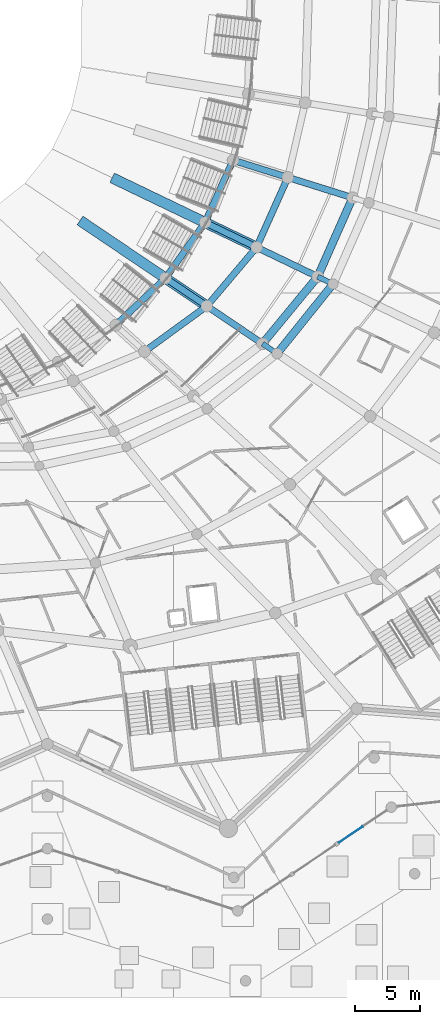
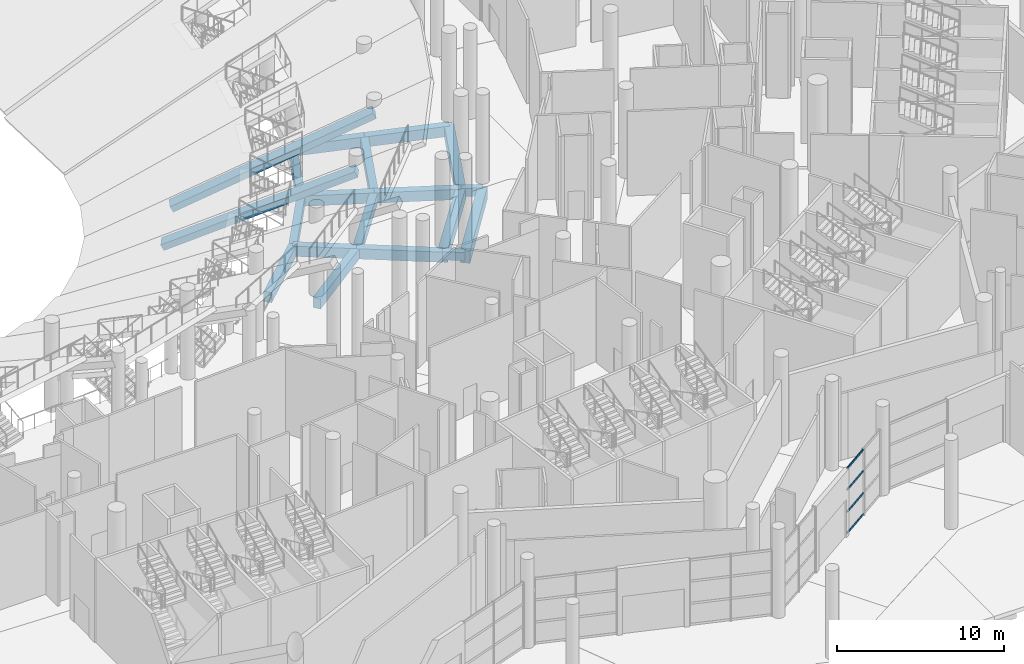
# One storey, part 33 of 255: 19 beams, 4 members, 1 element without a shape of its own.
"""IFC4 building model written with IfcOpenShell, lengths in metres."""

from ifc_helpers import new_model, si_unit, direction, frame, origin, origin_2d, place, context, subcontext, project, spatial, rectangle, extrude, material, layer, layer_set, material_profile, profile_set, type_object, element, aggregate, save


model = new_model("IFC4")

# Units and contexts
model_context = context("Model", 3, precision=1e-05, world=origin(), true_north=direction((0.0, 1.0)))
body_context = subcontext(model_context, "Body", "Model", "MODEL_VIEW")
ifc_project = project(units=[si_unit("LENGTHUNIT", "METRE"), si_unit("AREAUNIT", "SQUARE_METRE"), si_unit("VOLUMEUNIT", "CUBIC_METRE"), si_unit("PLANEANGLEUNIT", "RADIAN"), si_unit("MASSUNIT", "GRAM", prefix="KILO")], contexts=[model_context])

# Site, building, storey
site_placement = place(None, origin())
site = spatial("IfcSite", under=ifc_project, at=site_placement, CompositionType="ELEMENT")
building_placement = place(site_placement, origin())
building = spatial("IfcBuilding", under=site, at=building_placement, Name="Meseta Stadium", CompositionType="ELEMENT")
storey_placement = place(building_placement, origin())
storey = spatial("IfcBuildingStorey", under=building, at=storey_placement, Name="L00", CompositionType="ELEMENT", Elevation=0.0)

# Beams
ifc_material_1 = material(Name="Concrete C40/50", Category="concrete")
ifc_material_profile_1 = material_profile(ifc_material_1, rectangle(XDim=0.39990234375, YDim=0.60009765625, at=origin_2d()), Name="RC 400x600")
ifc_profile_set_1 = profile_set([ifc_material_profile_1], Name="Concrete C40/50")
beam_type_1 = type_object("IfcBeamType", Name="RC beam 400x600", PredefinedType="BEAM", material=ifc_profile_set_1)
beam_1_placement = place(storey_placement, frame((54.819580078125, -67.901611328125, -0.699951171875), z_axis=(0.828785870945, -0.559565885416, 0.0), x_axis=(0.559565885416, 0.828785870945, 0.0)))
element("IfcBeam", 1, at=beam_1_placement, inside=storey, type_object=beam_type_1, Name="L00 radial beam frame 53 line C to D", PredefinedType="BEAM", context=body_context, shape_type="SweptSolid", body=[
    extrude(rectangle(XDim=0.39990234375, YDim=0.60009765625, at=origin_2d()), origin(), (0.0, 0.0, 1.0), 1.35205078125),
])
beam_2_placement = place(storey_placement, frame((59.049072265625, -62.766357421875, -0.699951171875), z_axis=(0.901186215953, -0.433432121762, 0.0), x_axis=(0.433432121762, 0.901186215953, 0.0)))
element("IfcBeam", 2, at=beam_2_placement, inside=storey, type_object=beam_type_1, Name="L00 radial beam frame 54 line C to D", PredefinedType="BEAM", context=body_context, shape_type="SweptSolid", body=[
    extrude(rectangle(XDim=0.39990234375, YDim=0.60009765625, at=origin_2d()), origin(), (0.0, 0.0, 1.0), 1.3017578125),
])
ifc_material_2 = material(Name="Concrete C40/50", Category="concrete")
ifc_material_profile_2 = material_profile(ifc_material_2, rectangle(XDim=0.5, YDim=0.75, at=origin_2d()), Name="RC 500x750")
ifc_profile_set_2 = profile_set([ifc_material_profile_2], Name="Concrete C40/50")
beam_type_2 = type_object("IfcBeamType", Name="RC beam 500x750", PredefinedType="BEAM", material=ifc_profile_set_2)
beam_3_placement = place(storey_placement, frame((43.5693359375, -66.478759765625, -0.77490234375), z_axis=(0.727165536256, 0.686462149635, 0.0), x_axis=(-0.686462149635, 0.727165536256, 0.0)))
element("IfcBeam", 3, at=beam_3_placement, inside=storey, type_object=beam_type_2, Name="L00 ring beam frame 52 line B", PredefinedType="BEAM", context=body_context, shape_type="SweptSolid", body=[
    extrude(rectangle(XDim=0.5, YDim=0.75, at=origin_2d()), origin(), (0.0, 0.0, 1.0), 5.2421875),
])
beam_4_placement = place(storey_placement, frame((45.777099609375, -68.499755859375, -0.77490234375), z_axis=(0.808321333324, 0.58874155798, 0.0), x_axis=(-0.58874155798, 0.808321333324, 0.0)))
element("IfcBeam", 4, at=beam_4_placement, inside=storey, type_object=beam_type_2, Name="L00 ring beam frame 52 line U", PredefinedType="BEAM", context=body_context, shape_type="SweptSolid", body=[
    extrude(rectangle(XDim=0.5, YDim=0.75, at=origin_2d()), origin(), (0.0, 0.0, 1.0), 5.908447265625),
])
beam_5_placement = place(storey_placement, frame((47.38134765625, -62.880126953125, -0.77490234375), z_axis=(0.579777051217, 0.814775165848, 0.0), x_axis=(-0.814775165848, 0.579777051217, 0.0)))
element("IfcBeam", 5, at=beam_5_placement, inside=storey, type_object=beam_type_2, Name="L00 ring beam frame 53 line B", PredefinedType="BEAM", context=body_context, shape_type="SweptSolid", body=[
    extrude(rectangle(XDim=0.5, YDim=0.75, at=origin_2d()), origin(), (0.0, 0.0, 1.0), 5.235107421875),
])
beam_6_placement = place(storey_placement, frame((50.552978515625, -65.021240234375, -0.77490234375), z_axis=(0.645643699587, 0.76363879759, 0.0), x_axis=(-0.76363879759, 0.645643699587, 0.0)))
element("IfcBeam", 6, at=beam_6_placement, inside=storey, type_object=beam_type_2, Name="L00 ring beam frame 53 line U", PredefinedType="BEAM", context=body_context, shape_type="SweptSolid", body=[
    extrude(rectangle(XDim=0.5, YDim=0.75, at=origin_2d()), origin(), (0.0, 0.0, 1.0), 5.903076171875),
])
beam_7_placement = place(storey_placement, frame((50.41650390625, -58.61474609375, -0.77490234375), z_axis=(0.410234670031, 0.911979997316, 0.0), x_axis=(-0.911979997316, 0.410234670031, 0.0)))
element("IfcBeam", 7, at=beam_7_placement, inside=storey, type_object=beam_type_2, Name="L00 ring beam frame 54 line B", PredefinedType="BEAM", context=body_context, shape_type="SweptSolid", body=[
    extrude(rectangle(XDim=0.5, YDim=0.75, at=origin_2d()), origin(), (0.0, 0.0, 1.0), 5.231689453125),
])
beam_8_placement = place(storey_placement, frame((54.3642578125, -60.513427734375, -0.77490234375), z_axis=(0.408647140916, 0.912692453251, 0.0), x_axis=(-0.912692453251, 0.408647140916, 0.0)))
element("IfcBeam", 8, at=beam_8_placement, inside=storey, type_object=beam_type_2, Name="L00 ring beam frame 54 line U", PredefinedType="BEAM", context=body_context, shape_type="SweptSolid", body=[
    extrude(rectangle(XDim=0.5, YDim=0.75, at=origin_2d()), origin(), (0.0, 0.0, 1.0), 5.86572265625),
])
beam_9_placement = place(storey_placement, frame((47.38134765625, -62.880126953125, -0.77490234375), z_axis=(0.828816868957, -0.559519970807, 0.0), x_axis=(0.559519970807, 0.828816868957, 0.0)))
element("IfcBeam", 9, at=beam_9_placement, inside=storey, type_object=beam_type_2, Name="L00 radial beam frame 53 line B to U", PredefinedType="BEAM", context=body_context, shape_type="SweptSolid", body=[
    extrude(rectangle(XDim=0.5, YDim=0.75, at=origin_2d()), origin(), (0.0, 0.0, 1.0), 3.82666015625),
])
beam_10_placement = place(storey_placement, frame((50.552978515625, -65.021240234375, -0.77490234375), z_axis=(0.828811285553, -0.559528241414, 0.0), x_axis=(0.559528241414, 0.828811285553, 0.0)))
element("IfcBeam", 10, at=beam_10_placement, inside=storey, type_object=beam_type_2, Name="L00 radial beam frame 53 line U to C", PredefinedType="BEAM", context=body_context, shape_type="SweptSolid", body=[
    extrude(rectangle(XDim=0.5, YDim=0.75, at=origin_2d()), origin(), (0.0, 0.0, 1.0), 5.14794921875),
])
beam_11_placement = place(storey_placement, frame((50.41650390625, -58.61474609375, -0.77490234375), z_axis=(0.901187960195, -0.433428495141, 0.0), x_axis=(0.433428495141, 0.901187960195, 0.0)))
element("IfcBeam", 11, at=beam_11_placement, inside=storey, type_object=beam_type_2, Name="L00 radial beam frame 54 line B to U", PredefinedType="BEAM", context=body_context, shape_type="SweptSolid", body=[
    extrude(rectangle(XDim=0.5, YDim=0.75, at=origin_2d()), origin(), (0.0, 0.0, 1.0), 4.380615234375),
])
beam_12_placement = place(storey_placement, frame((54.3642578125, -60.513427734375, -0.77490234375), z_axis=(0.90120621649, -0.433390534461, 0.0), x_axis=(0.433390534461, 0.90120621649, 0.0)))
element("IfcBeam", 12, at=beam_12_placement, inside=storey, type_object=beam_type_2, Name="L00 radial beam frame 54 line U to C", PredefinedType="BEAM", context=body_context, shape_type="SweptSolid", body=[
    extrude(rectangle(XDim=0.5, YDim=0.75, at=origin_2d()), origin(), (0.0, 0.0, 1.0), 5.198486328125),
])
beam_13_placement = place(storey_placement, frame((52.562744140625, -53.843505859375, -0.77490234375), z_axis=(0.954196192549, -0.299181593896, 0.0), x_axis=(0.299181593896, 0.954196192549, 0.0)))
element("IfcBeam", 13, at=beam_13_placement, inside=storey, type_object=beam_type_2, Name="L00 radial beam frame 55 line B to U", PredefinedType="BEAM", context=body_context, shape_type="SweptSolid", body=[
    extrude(rectangle(XDim=0.5, YDim=0.75, at=origin_2d()), origin(), (0.0, 0.0, 1.0), 4.39990234375),
])
beam_14_placement = place(storey_placement, frame((56.76123046875, -55.159912109375, -0.77490234375), z_axis=(0.954202212312, -0.299162394059, 0.0), x_axis=(0.299162394059, 0.954202212312, 0.0)))
element("IfcBeam", 14, at=beam_14_placement, inside=storey, type_object=beam_type_2, Name="L00 radial beam frame 55 line U to C", PredefinedType="BEAM", context=body_context, shape_type="SweptSolid", body=[
    extrude(rectangle(XDim=0.5, YDim=0.75, at=origin_2d()), origin(), (0.0, 0.0, 1.0), 5.199951171875),
])
ifc_material_3 = material(Name="Concrete C40/50", Category="concrete")
ifc_material_profile_3 = material_profile(ifc_material_3, rectangle(XDim=0.60009765625, YDim=0.89990234375, at=origin_2d()), Name="RC 600x900")
ifc_profile_set_3 = profile_set([ifc_material_profile_3], Name="Concrete C40/50")
beam_type_3 = type_object("IfcBeamType", Name="RC beam 600x900", PredefinedType="BEAM", material=ifc_profile_set_3)
beam_15_placement = place(storey_placement, frame((54.819580078125, -67.901611328125, -0.85009765625), z_axis=(0.635748413749, 0.771896336573, 0.0), x_axis=(-0.771896336573, 0.635748413749, 0.0)))
element("IfcBeam", 15, at=beam_15_placement, inside=storey, type_object=beam_type_3, Name="L00 ring beam frame 53 line C", PredefinedType="BEAM", context=body_context, shape_type="SweptSolid", body=[
    extrude(rectangle(XDim=0.60009765625, YDim=0.89990234375, at=origin_2d()), origin(), (0.0, 0.0, 1.0), 6.65283203125),
])
beam_16_placement = place(storey_placement, frame((55.940185546875, -68.658203125, -0.85009765625), z_axis=(0.626466293445, 0.779448512204, 0.0), x_axis=(-0.779448512204, 0.626466293445, 0.0)))
element("IfcBeam", 16, at=beam_16_placement, inside=storey, type_object=beam_type_3, Name="L00 ring beam frame 53 line D", PredefinedType="BEAM", context=body_context, shape_type="SweptSolid", body=[
    extrude(rectangle(XDim=0.60009765625, YDim=0.89990234375, at=origin_2d()), origin(), (0.0, 0.0, 1.0), 6.835205078125),
])
beam_17_placement = place(storey_placement, frame((59.049072265625, -62.766357421875, -0.85009765625), z_axis=(0.404223446973, 0.914660267486, 0.0), x_axis=(-0.914660267486, 0.404223446973, 0.0)))
element("IfcBeam", 17, at=beam_17_placement, inside=storey, type_object=beam_type_3, Name="L00 ring beam frame 54 line C", PredefinedType="BEAM", context=body_context, shape_type="SweptSolid", body=[
    extrude(rectangle(XDim=0.60009765625, YDim=0.89990234375, at=origin_2d()), origin(), (0.0, 0.0, 1.0), 6.615234375),
])
ifc_material_4 = material(Name="Concrete C40/50", Category="concrete")
ifc_material_profile_4 = material_profile(ifc_material_4, rectangle(XDim=0.800048828125, YDim=0.449951171875, at=origin_2d()), Name="RC 800x450")
ifc_profile_set_4 = profile_set([ifc_material_profile_4], Name="Concrete C40/50")
beam_type_4 = type_object("IfcBeamType", Name="RC raker lower 800x450", PredefinedType="USERDEFINED", material=ifc_profile_set_4)
beam_18_placement = place(storey_placement, frame((40.91650390625, -58.51611328125, -0.803955078125), z_axis=(0.738748342536, -0.498693967391, 0.453381972831), x_axis=(0.559502787973, 0.828828468533, 0.0)))
element("IfcBeam", 18, at=beam_18_placement, inside=storey, type_object=beam_type_4, Name="Raker lower frame 53 lower tier", ObjectType="RAKER", PredefinedType="USERDEFINED", context=body_context, shape_type="SweptSolid", body=[
    extrude(rectangle(XDim=0.800048828125, YDim=0.449951171875, at=origin_2d()), origin(), (0.0, 0.0, 1.0), 13.04443359375),
])
beam_19_placement = place(storey_placement, frame((43.38720703125, -55.234130859375, -0.869873046875), z_axis=(0.803235737303, -0.386307761742, 0.453407833565), x_axis=(0.433419038338, 0.901192508405, 0.0)))
element("IfcBeam", 19, at=beam_19_placement, inside=storey, type_object=beam_type_4, Name="Raker lower frame 54 lower tier", ObjectType="RAKER", PredefinedType="USERDEFINED", context=body_context, shape_type="SweptSolid", body=[
    extrude(rectangle(XDim=0.800048828125, YDim=0.449951171875, at=origin_2d()), origin(), (0.0, 0.0, 1.0), 13.666015625),
])

# Curtain wall, members
ifc_material_5 = material(Name="Aluminium", Category="aluminium")
ifc_layer = layer(ifc_material_5, 0.199951171875)
ifc_layer_set = layer_set([ifc_layer], Name="Ring shopfront curtain wall")
curtain_wall_type = type_object("IfcCurtainWallType", Name="Ring shopfront curtain wall", PredefinedType="NOTDEFINED", material=ifc_layer_set)
curtain_wall_placement = place(storey_placement, origin())
curtain_wall = element("IfcCurtainWall", 20, at=curtain_wall_placement, inside=storey, type_object=curtain_wall_type, Name="Shopfront glazing F50b", PredefinedType="NOTDEFINED")
ifc_material_6 = material(Name="Aluminium", Category="aluminium")
ifc_material_profile_5 = material_profile(ifc_material_6, rectangle(XDim=0.06005859375, YDim=0.14990234375, at=origin_2d()), Name="CW 60x150")
ifc_profile_set_5 = profile_set([ifc_material_profile_5], Name="Aluminium")
member_type = type_object("IfcMemberType", Name="Ring CW transom 60x150", PredefinedType="USERDEFINED", material=ifc_profile_set_5)
member_1_placement = place(storey_placement, frame((60.677734375, -106.134033203125, 0.074951171875), z_axis=(0.828893171184, 0.559406927706, 0.0), x_axis=(-0.559406927706, 0.828893171184, 0.0)))
member_1 = element("IfcMember", 21, at=member_1_placement, type_object=member_type, Name="CWR1 transom 1.1", ObjectType="TRANSOM", PredefinedType="USERDEFINED", context=body_context, shape_type="SweptSolid", body=[
    extrude(rectangle(XDim=0.06005859375, YDim=0.14990234375, at=origin_2d()), origin(), (0.0, 0.0, 1.0), 2.16259765625),
])
member_2_placement = place(storey_placement, frame((60.677734375, -106.134033203125, 1.61669921875), z_axis=(0.828893171184, 0.559406927706, 0.0), x_axis=(-0.559406927706, 0.828893171184, 0.0)))
member_2 = element("IfcMember", 22, at=member_2_placement, type_object=member_type, Name="CWR1 transom 1.2", ObjectType="TRANSOM", PredefinedType="USERDEFINED", context=body_context, shape_type="SweptSolid", body=[
    extrude(rectangle(XDim=0.06005859375, YDim=0.14990234375, at=origin_2d()), origin(), (0.0, 0.0, 1.0), 2.16259765625),
])
member_3_placement = place(storey_placement, frame((60.677734375, -106.134033203125, 3.2333984375), z_axis=(0.828893171184, 0.559406927706, 0.0), x_axis=(-0.559406927706, 0.828893171184, 0.0)))
member_3 = element("IfcMember", 23, at=member_3_placement, type_object=member_type, Name="CWR1 transom 1.3", ObjectType="TRANSOM", PredefinedType="USERDEFINED", context=body_context, shape_type="SweptSolid", body=[
    extrude(rectangle(XDim=0.06005859375, YDim=0.14990234375, at=origin_2d()), origin(), (0.0, 0.0, 1.0), 2.16259765625),
])
member_4_placement = place(storey_placement, frame((60.677734375, -106.134033203125, 4.77490234375), z_axis=(0.828893171184, 0.559406927706, 0.0), x_axis=(-0.559406927706, 0.828893171184, 0.0)))
member_4 = element("IfcMember", 24, at=member_4_placement, type_object=member_type, Name="CWR1 transom 1.4", ObjectType="TRANSOM", PredefinedType="USERDEFINED", context=body_context, shape_type="SweptSolid", body=[
    extrude(rectangle(XDim=0.06005859375, YDim=0.14990234375, at=origin_2d()), origin(), (0.0, 0.0, 1.0), 2.16259765625),
])
aggregate(curtain_wall, [member_1, member_2, member_3, member_4])

save(model, "model.ifc")
